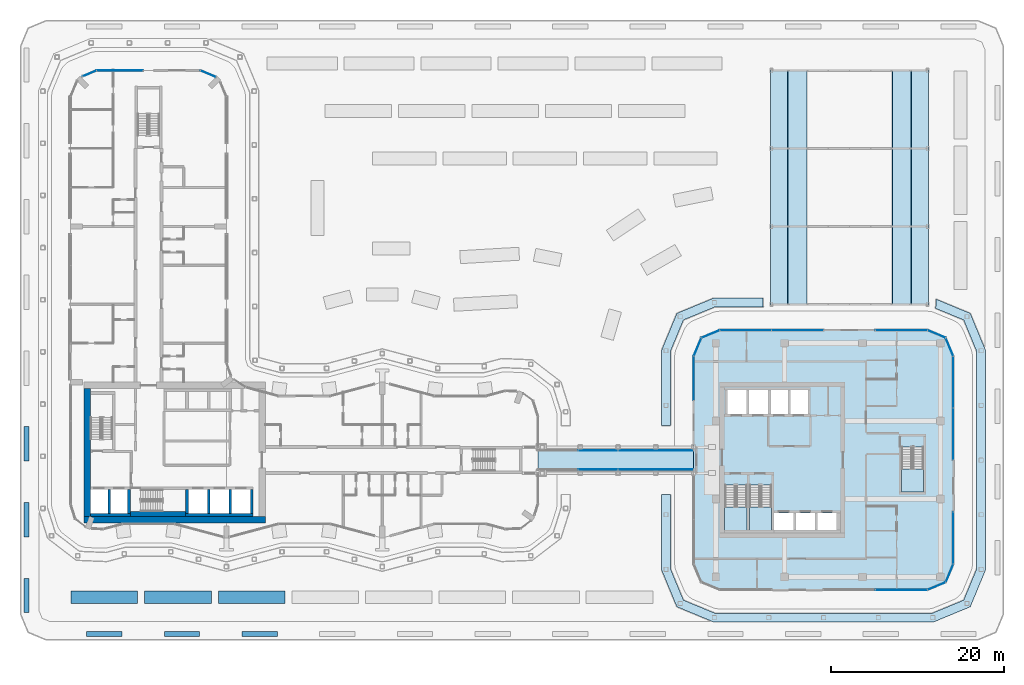
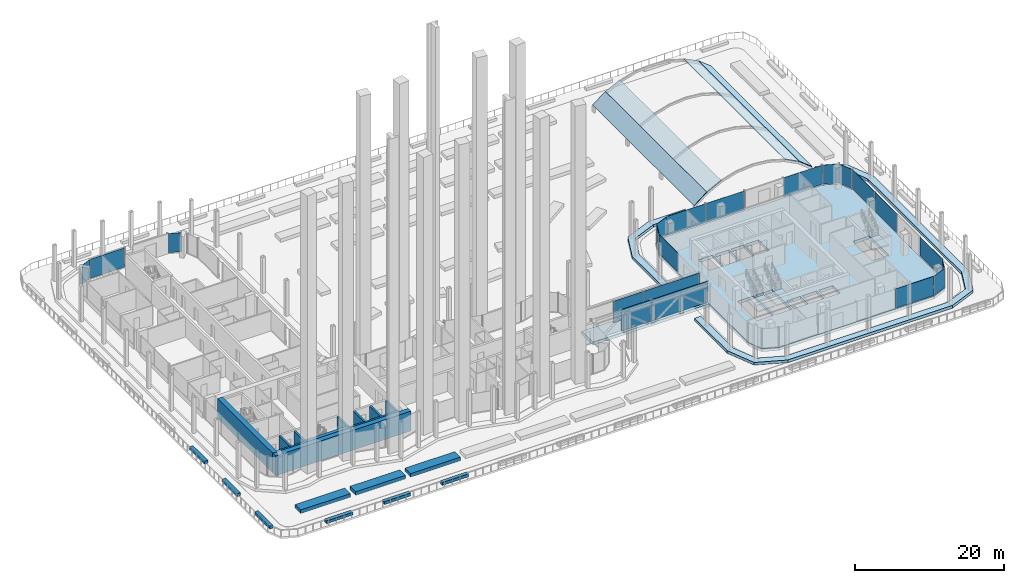
# One storey, part 22 of 33: 21 plates, 20 walls, 11 slabs, 22 elements without a shape of their own.
"""IFC4 building model written with IfcOpenShell, lengths in metres."""

from ifc_helpers import new_model, si_unit, direction, frame, frame_2d, origin, origin_2d, place, context, subcontext, project, spatial, polyline, rectangle, outline, extrude, material, layer, layer_set, type_object, element, aggregate, save


model = new_model("IFC4")

# Units and contexts
model_context = context("Model", 3, precision=1e-05, world=origin(), true_north=direction((0.0, 1.0)))
body_context = subcontext(model_context, "Body", "Model", "MODEL_VIEW")
ifc_project = project(units=[si_unit("LENGTHUNIT", "METRE"), si_unit("AREAUNIT", "SQUARE_METRE"), si_unit("VOLUMEUNIT", "CUBIC_METRE"), si_unit("PLANEANGLEUNIT", "RADIAN"), si_unit("MASSUNIT", "GRAM", prefix="KILO")], contexts=[model_context])

# Site, building, storey
site_placement = place(None, origin())
site = spatial("IfcSite", under=ifc_project, at=site_placement, CompositionType="ELEMENT")
building_placement = place(site_placement, origin())
building = spatial("IfcBuilding", under=site, at=building_placement, Name="Plateau Cross Towers", CompositionType="ELEMENT")
storey_placement = place(building_placement, frame((0.0, 0.0, 26.800048828125)))
storey = spatial("IfcBuildingStorey", under=building, at=storey_placement, Name="L05", CompositionType="ELEMENT", Elevation=26.800048828125)

# Curtain wall, plate
ifc_material_1 = material(Name="Dark low-iron glass", Category="glass")
ifc_layer_1 = layer(ifc_material_1, 0.239990234375)
ifc_layer_set_1 = layer_set([ifc_layer_1], Name="Dark low-iron glass")
curtain_wall_type_1 = type_object("IfcCurtainWallType", Name="Curtain wall office unitised CW-F", PredefinedType="NOTDEFINED", material=ifc_layer_set_1)
curtain_wall_1_placement = place(storey_placement, origin())
curtain_wall_1 = element("IfcCurtainWall", 1, at=curtain_wall_1_placement, inside=storey, type_object=curtain_wall_type_1, Name="ENV/B/L05/B870_-60", PredefinedType="NOTDEFINED")
ifc_layer_2 = layer(ifc_material_1, 0.028076171875)
ifc_layer_set_2 = layer_set([ifc_layer_2], Name="Dark low-iron glass")
plate_type_1 = type_object("IfcPlateType", Name="Glass panel 28 office unitised", PredefinedType="CURTAIN_PANEL", material=ifc_layer_set_2)
plate_1_placement = place(storey_placement, frame((96.0, -6.0, 0.1201171875), z_axis=(0.0, 0.0, 1.0), x_axis=(1.0, 0.0, 0.0)))
plate_1 = element("IfcPlate", 2, at=plate_1_placement, type_object=plate_type_1, Name="CW-F panel 2", PredefinedType="CURTAIN_PANEL", context=body_context, shape_type="SweptSolid", body=[
    extrude(rectangle(XDim=5.93994140625, YDim=0.028076171875, at=origin_2d()), origin(), (0.0, 0.0, 1.0), 3.1298828125),
])
aggregate(curtain_wall_1, [plate_1])

curtain_wall_2_placement = place(storey_placement, origin())
curtain_wall_2 = element("IfcCurtainWall", 3, at=curtain_wall_2_placement, inside=storey, type_object=curtain_wall_type_1, Name="ENV/B/L05/B990_-60", PredefinedType="NOTDEFINED")
plate_2_placement = place(storey_placement, frame((100.060546875, -5.560546875, 0.1201171875), z_axis=(0.0, 0.0, 1.0), x_axis=(0.923879457699, 0.382683612978, 0.0)))
plate_2 = element("IfcPlate", 4, at=plate_2_placement, type_object=plate_type_1, Name="CW-F panel 1", PredefinedType="CURTAIN_PANEL", context=body_context, shape_type="SweptSolid", body=[
    extrude(rectangle(XDim=2.236083984375, YDim=0.028076171875, at=origin_2d()), origin(), (0.0, 0.0, 1.0), 3.1298828125),
])
aggregate(curtain_wall_2, [plate_2])

curtain_wall_3_placement = place(storey_placement, origin())
curtain_wall_3 = element("IfcCurtainWall", 5, at=curtain_wall_3_placement, inside=storey, type_object=curtain_wall_type_1, Name="ENV/B/L05/B1011_-51", PredefinedType="NOTDEFINED")
plate_3_placement = place(storey_placement, frame((101.560546875, -4.060546875, 0.1201171875), z_axis=(0.0, 0.0, 1.0), x_axis=(0.382683612978, 0.923879457699, 0.0)))
plate_3 = element("IfcPlate", 6, at=plate_3_placement, type_object=plate_type_1, Name="CW-F panel 1", PredefinedType="CURTAIN_PANEL", context=body_context, shape_type="SweptSolid", body=[
    extrude(rectangle(XDim=2.236083984375, YDim=0.028076171875, at=origin_2d()), origin(), (0.0, 0.0, 1.0), 3.1298828125),
])
aggregate(curtain_wall_3, [plate_3])

curtain_wall_4_placement = place(storey_placement, origin())
curtain_wall_4 = element("IfcCurtainWall", 7, at=curtain_wall_4_placement, inside=storey, type_object=curtain_wall_type_1, Name="ENV/B/L05/B1020_-30", PredefinedType="NOTDEFINED")
plate_4_placement = place(storey_placement, frame((102.0, 0.0, 0.1201171875), z_axis=(0.0, 0.0, 1.0), x_axis=(0.0, 1.0, 0.0)))
plate_4 = element("IfcPlate", 8, at=plate_4_placement, type_object=plate_type_1, Name="CW-F panel 1", PredefinedType="CURTAIN_PANEL", context=body_context, shape_type="SweptSolid", body=[
    extrude(rectangle(XDim=5.93994140625, YDim=0.028076171875, at=origin_2d()), origin(), (0.0, 0.0, 1.0), 3.1298828125),
])
aggregate(curtain_wall_4, [plate_4])

# Curtain wall, plates
curtain_wall_5_placement = place(storey_placement, origin())
curtain_wall_5 = element("IfcCurtainWall", 9, at=curtain_wall_5_placement, inside=storey, type_object=curtain_wall_type_1, Name="ENV/B/L05/B1020_90", PredefinedType="NOTDEFINED")
plate_5_placement = place(storey_placement, frame((102.0, 12.0, 0.1201171875), z_axis=(0.0, 0.0, 1.0), x_axis=(0.0, 1.0, 0.0)))
plate_5 = element("IfcPlate", 10, at=plate_5_placement, type_object=plate_type_1, Name="CW-F panel 1", PredefinedType="CURTAIN_PANEL", context=body_context, shape_type="SweptSolid", body=[
    extrude(rectangle(XDim=5.93994140625, YDim=0.028076171875, at=origin_2d()), origin(), (0.0, 0.0, 1.0), 3.1298828125),
])
plate_6_placement = place(storey_placement, frame((102.0, 18.0, 0.1201171875), z_axis=(0.0, 0.0, 1.0), x_axis=(0.0, 1.0, 0.0)))
plate_6 = element("IfcPlate", 11, at=plate_6_placement, type_object=plate_type_1, Name="CW-F panel 2", PredefinedType="CURTAIN_PANEL", context=body_context, shape_type="SweptSolid", body=[
    extrude(rectangle(XDim=5.93994140625, YDim=0.028076171875, at=origin_2d()), origin(), (0.0, 0.0, 1.0), 3.1298828125),
])
aggregate(curtain_wall_5, [plate_5, plate_6])

# Curtain wall, plate
curtain_wall_6_placement = place(storey_placement, origin())
curtain_wall_6 = element("IfcCurtainWall", 12, at=curtain_wall_6_placement, inside=storey, type_object=curtain_wall_type_1, Name="ENV/B/L05/B1020_210", PredefinedType="NOTDEFINED")
plate_7_placement = place(storey_placement, frame((101.560546875, 22.060546875, 0.1201171875), z_axis=(0.0, 0.0, 1.0), x_axis=(-0.382683612978, 0.923879457699, 0.0)))
plate_7 = element("IfcPlate", 13, at=plate_7_placement, type_object=plate_type_1, Name="CW-F panel 1", PredefinedType="CURTAIN_PANEL", context=body_context, shape_type="SweptSolid", body=[
    extrude(rectangle(XDim=2.236083984375, YDim=0.028076171875, at=origin_2d()), origin(), (0.0, 0.0, 1.0), 3.1298828125),
])
aggregate(curtain_wall_6, [plate_7])

curtain_wall_7_placement = place(storey_placement, origin())
curtain_wall_7 = element("IfcCurtainWall", 14, at=curtain_wall_7_placement, inside=storey, type_object=curtain_wall_type_1, Name="ENV/B/L05/B1011_231", PredefinedType="NOTDEFINED")
plate_8_placement = place(storey_placement, frame((100.060546875, 23.560546875, 0.1201171875), z_axis=(0.0, 0.0, 1.0), x_axis=(-0.923879457699, 0.382683612978, 0.0)))
plate_8 = element("IfcPlate", 15, at=plate_8_placement, type_object=plate_type_1, Name="CW-F panel 1", PredefinedType="CURTAIN_PANEL", context=body_context, shape_type="SweptSolid", body=[
    extrude(rectangle(XDim=2.236083984375, YDim=0.028076171875, at=origin_2d()), origin(), (0.0, 0.0, 1.0), 3.1298828125),
])
aggregate(curtain_wall_7, [plate_8])

curtain_wall_8_placement = place(storey_placement, origin())
curtain_wall_8 = element("IfcCurtainWall", 16, at=curtain_wall_8_placement, inside=storey, type_object=curtain_wall_type_1, Name="ENV/B/L05/B990_240", PredefinedType="NOTDEFINED")
plate_9_placement = place(storey_placement, frame((96.0, 24.0, 0.1201171875), z_axis=(0.0, 0.0, 1.0), x_axis=(-1.0, 0.0, 0.0)))
plate_9 = element("IfcPlate", 17, at=plate_9_placement, type_object=plate_type_1, Name="CW-F panel 1", PredefinedType="CURTAIN_PANEL", context=body_context, shape_type="SweptSolid", body=[
    extrude(rectangle(XDim=5.93994140625, YDim=0.028076171875, at=origin_2d()), origin(), (0.0, 0.0, 1.0), 3.1298828125),
])
aggregate(curtain_wall_8, [plate_9])

# Curtain wall, plates
curtain_wall_9_placement = place(storey_placement, origin())
curtain_wall_9 = element("IfcCurtainWall", 18, at=curtain_wall_9_placement, inside=storey, type_object=curtain_wall_type_1, Name="ENV/B/L05/B870_240", PredefinedType="NOTDEFINED")
plate_10_placement = place(storey_placement, frame((84.0, 24.0, 0.1201171875), z_axis=(0.0, 0.0, 1.0), x_axis=(-1.0, 0.0, 0.0)))
plate_10 = element("IfcPlate", 19, at=plate_10_placement, type_object=plate_type_1, Name="CW-F panel 1", PredefinedType="CURTAIN_PANEL", context=body_context, shape_type="SweptSolid", body=[
    extrude(rectangle(XDim=5.93994140625, YDim=0.028076171875, at=origin_2d()), origin(), (0.0, 0.0, 1.0), 3.1298828125),
])
plate_11_placement = place(storey_placement, frame((78.0, 24.0, 0.1201171875), z_axis=(0.0, 0.0, 1.0), x_axis=(-1.0, 0.0, 0.0)))
plate_11 = element("IfcPlate", 20, at=plate_11_placement, type_object=plate_type_1, Name="CW-F panel 2", PredefinedType="CURTAIN_PANEL", context=body_context, shape_type="SweptSolid", body=[
    extrude(rectangle(XDim=5.93994140625, YDim=0.028076171875, at=origin_2d()), origin(), (0.0, 0.0, 1.0), 3.1298828125),
])
aggregate(curtain_wall_9, [plate_10, plate_11])

# Curtain wall, plate
curtain_wall_10_placement = place(storey_placement, origin())
curtain_wall_10 = element("IfcCurtainWall", 21, at=curtain_wall_10_placement, inside=storey, type_object=curtain_wall_type_1, Name="ENV/B/L05/B750_240", PredefinedType="NOTDEFINED")
plate_12_placement = place(storey_placement, frame((73.939453125, 23.560546875, 0.1201171875), z_axis=(0.0, 0.0, 1.0), x_axis=(-0.923879457699, -0.382683612978, 0.0)))
plate_12 = element("IfcPlate", 22, at=plate_12_placement, type_object=plate_type_1, Name="CW-F panel 1", PredefinedType="CURTAIN_PANEL", context=body_context, shape_type="SweptSolid", body=[
    extrude(rectangle(XDim=2.236083984375, YDim=0.028076171875, at=origin_2d()), origin(), (0.0, 0.0, 1.0), 3.1298828125),
])
aggregate(curtain_wall_10, [plate_12])

curtain_wall_11_placement = place(storey_placement, origin())
curtain_wall_11 = element("IfcCurtainWall", 23, at=curtain_wall_11_placement, inside=storey, type_object=curtain_wall_type_1, Name="ENV/B/L05/B729_231", PredefinedType="NOTDEFINED")
plate_13_placement = place(storey_placement, frame((72.439453125, 22.060546875, 0.1201171875), z_axis=(0.0, 0.0, 1.0), x_axis=(-0.382683612978, -0.923879457699, 0.0)))
plate_13 = element("IfcPlate", 24, at=plate_13_placement, type_object=plate_type_1, Name="CW-F panel 1", PredefinedType="CURTAIN_PANEL", context=body_context, shape_type="SweptSolid", body=[
    extrude(rectangle(XDim=2.236083984375, YDim=0.028076171875, at=origin_2d()), origin(), (0.0, 0.0, 1.0), 3.1298828125),
])
aggregate(curtain_wall_11, [plate_13])

curtain_wall_12_placement = place(storey_placement, origin())
curtain_wall_12 = element("IfcCurtainWall", 25, at=curtain_wall_12_placement, inside=storey, type_object=curtain_wall_type_1, Name="ENV/B/L05/B720_210", PredefinedType="NOTDEFINED")
plate_14_placement = place(storey_placement, frame((72.0, 18.4462890625, 0.1201171875), z_axis=(0.0, 0.0, 1.0), x_axis=(0.0, -1.0, 0.0)))
plate_14 = element("IfcPlate", 26, at=plate_14_placement, type_object=plate_type_1, Name="CW-F panel 1", PredefinedType="CURTAIN_PANEL", context=body_context, shape_type="SweptSolid", body=[
    extrude(rectangle(XDim=5.047607421875, YDim=0.028076171875, at=origin_2d()), origin(), (0.0, 0.0, 1.0), 3.1298828125),
])
aggregate(curtain_wall_12, [plate_14])

ifc_material_2 = material(Name="Dark low-iron laminated glass", Category="glass")
ifc_layer_3 = layer(ifc_material_2, 0.25)
ifc_layer_set_3 = layer_set([ifc_layer_3], Name="Dark low-iron laminated glass")
curtain_wall_type_2 = type_object("IfcCurtainWallType", Name="Curtain wall bridge CW-E", PredefinedType="NOTDEFINED", material=ifc_layer_set_3)
curtain_wall_13_placement = place(storey_placement, origin())
curtain_wall_13 = element("IfcCurtainWall", 27, at=curtain_wall_13_placement, inside=storey, type_object=curtain_wall_type_2, Name="ENV/BR/L05/BR-P-south-1", PredefinedType="NOTDEFINED")
ifc_layer_4 = layer(ifc_material_2, 0.030029296875)
ifc_layer_set_4 = layer_set([ifc_layer_4], Name="Dark low-iron laminated glass")
plate_type_2 = type_object("IfcPlateType", Name="Glass panel 30 bridge", PredefinedType="CURTAIN_PANEL", material=ifc_layer_set_4)
plate_15_placement = place(storey_placement, frame((60.9375, 7.89990234375, -0.3798828125), z_axis=(0.0, 0.0, 1.0), x_axis=(1.0, 0.0, 0.0)))
plate_15 = element("IfcPlate", 28, at=plate_15_placement, type_object=plate_type_2, Name="CW-E panel 2", PredefinedType="CURTAIN_PANEL", context=body_context, shape_type="SweptSolid", body=[
    extrude(rectangle(XDim=4.56494140625, YDim=0.030029296875, at=origin_2d()), origin(), (0.0, 0.0, 1.0), 3.8798828125),
])
aggregate(curtain_wall_13, [plate_15])

curtain_wall_14_placement = place(storey_placement, origin())
curtain_wall_14 = element("IfcCurtainWall", 29, at=curtain_wall_14_placement, inside=storey, type_object=curtain_wall_type_2, Name="ENV/BR/L05/BR-P-south-2", PredefinedType="NOTDEFINED")
plate_16_placement = place(storey_placement, frame((67.625, 7.89990234375, -0.3798828125), z_axis=(0.0, 0.0, 1.0), x_axis=(1.0, 0.0, 0.0)))
plate_16 = element("IfcPlate", 30, at=plate_16_placement, type_object=plate_type_2, Name="CW-E panel 1", PredefinedType="CURTAIN_PANEL", context=body_context, shape_type="SweptSolid", body=[
    extrude(rectangle(XDim=8.68994140625, YDim=0.030029296875, at=origin_2d()), origin(), (0.0, 0.0, 1.0), 3.8798828125),
])
aggregate(curtain_wall_14, [plate_16])

curtain_wall_15_placement = place(storey_placement, origin())
curtain_wall_15 = element("IfcCurtainWall", 31, at=curtain_wall_15_placement, inside=storey, type_object=curtain_wall_type_2, Name="ENV/BR/L05/BR-P-north-1", PredefinedType="NOTDEFINED")
plate_17_placement = place(storey_placement, frame((60.9375, 10.10009765625, -0.3798828125), z_axis=(0.0, 0.0, 1.0), x_axis=(1.0, 0.0, 0.0)))
plate_17 = element("IfcPlate", 32, at=plate_17_placement, type_object=plate_type_2, Name="CW-E panel 2", PredefinedType="CURTAIN_PANEL", context=body_context, shape_type="SweptSolid", body=[
    extrude(rectangle(XDim=4.56494140625, YDim=0.030029296875, at=origin_2d()), origin(), (0.0, 0.0, 1.0), 3.8798828125),
])
aggregate(curtain_wall_15, [plate_17])

curtain_wall_16_placement = place(storey_placement, origin())
curtain_wall_16 = element("IfcCurtainWall", 33, at=curtain_wall_16_placement, inside=storey, type_object=curtain_wall_type_2, Name="ENV/BR/L05/BR-P-north-2", PredefinedType="NOTDEFINED")
plate_18_placement = place(storey_placement, frame((67.625, 10.10009765625, -0.3798828125), z_axis=(0.0, 0.0, 1.0), x_axis=(1.0, 0.0, 0.0)))
plate_18 = element("IfcPlate", 34, at=plate_18_placement, type_object=plate_type_2, Name="CW-E panel 1", PredefinedType="CURTAIN_PANEL", context=body_context, shape_type="SweptSolid", body=[
    extrude(rectangle(XDim=8.68994140625, YDim=0.030029296875, at=origin_2d()), origin(), (0.0, 0.0, 1.0), 3.8798828125),
])
aggregate(curtain_wall_16, [plate_18])

ifc_layer_5 = layer(ifc_material_1, 0.239990234375)
ifc_layer_set_5 = layer_set([ifc_layer_5], Name="Dark low-iron glass")
curtain_wall_type_3 = type_object("IfcCurtainWallType", Name="Curtain wall flush unitised CW-B", PredefinedType="NOTDEFINED", material=ifc_layer_set_5)
curtain_wall_17_placement = place(storey_placement, origin())
curtain_wall_17 = element("IfcCurtainWall", 35, at=curtain_wall_17_placement, inside=storey, type_object=curtain_wall_type_3, Name="ENV/A/L05/A168_533", PredefinedType="NOTDEFINED")
ifc_layer_6 = layer(ifc_material_1, 0.031982421875)
ifc_layer_set_6 = layer_set([ifc_layer_6], Name="Dark low-iron glass")
plate_type_3 = type_object("IfcPlateType", Name="Glass panel 32 flush unitised", PredefinedType="CURTAIN_PANEL", material=ifc_layer_set_6)
plate_19_placement = place(storey_placement, frame((15.90283203125, 53.6259765625, 0.1201171875), z_axis=(0.0, 0.0, 1.0), x_axis=(-0.923879457699, 0.382683612978, 0.0)))
plate_19 = element("IfcPlate", 36, at=plate_19_placement, type_object=plate_type_3, Name="CW-B panel 1", PredefinedType="CURTAIN_PANEL", context=body_context, shape_type="SweptSolid", body=[
    extrude(rectangle(XDim=1.894775390625, YDim=0.031982421875, at=origin_2d()), origin(), (0.0, 0.0, 1.0), 3.1298828125),
])
aggregate(curtain_wall_17, [plate_19])

curtain_wall_18_placement = place(storey_placement, origin())
curtain_wall_18 = element("IfcCurtainWall", 37, at=curtain_wall_18_placement, inside=storey, type_object=curtain_wall_type_3, Name="ENV/A/L05/A84_540", PredefinedType="NOTDEFINED")
plate_20_placement = place(storey_placement, frame((5.68994140625, 54.0, 0.1201171875), z_axis=(0.0, 0.0, 1.0), x_axis=(-1.0, 0.0, 0.0)))
plate_20 = element("IfcPlate", 38, at=plate_20_placement, type_object=plate_type_3, Name="CW-B panel 1", PredefinedType="CURTAIN_PANEL", context=body_context, shape_type="SweptSolid", body=[
    extrude(rectangle(XDim=5.320068359375, YDim=0.031982421875, at=origin_2d()), origin(), (0.0, 0.0, 1.0), 3.1298828125),
])
aggregate(curtain_wall_18, [plate_20])

curtain_wall_19_placement = place(storey_placement, origin())
curtain_wall_19 = element("IfcCurtainWall", 39, at=curtain_wall_19_placement, inside=storey, type_object=curtain_wall_type_3, Name="ENV/A/L05/A30_540", PredefinedType="NOTDEFINED")
plate_21_placement = place(storey_placement, frame((2.20166015625, 53.66943359375, 0.1201171875), z_axis=(0.0, 0.0, 1.0), x_axis=(-0.923879457699, -0.382683612978, 0.0)))
plate_21 = element("IfcPlate", 40, at=plate_21_placement, type_object=plate_type_3, Name="CW-B panel 1", PredefinedType="CURTAIN_PANEL", context=body_context, shape_type="SweptSolid", body=[
    extrude(rectangle(XDim=1.668212890625, YDim=0.031982421875, at=origin_2d()), origin(), (0.0, 0.0, 1.0), 3.1298828125),
])
aggregate(curtain_wall_19, [plate_21])

# Slabs
ifc_material_3 = material(Name="Concrete C40/50", Category="concrete")
ifc_layer_7 = layer(ifc_material_3, 0.449951171875)
ifc_layer_set_7 = layer_set([ifc_layer_7], Name="Concrete C40/50")
slab_type_1 = type_object("IfcSlabType", Name="Plinth base kerb 450", PredefinedType="FLOOR", material=ifc_layer_set_7)
slab_1_placement = place(storey_placement, origin())
element("IfcSlab", 41, at=slab_1_placement, inside=storey, type_object=slab_type_1, Name="Plinth base kerb 1", PredefinedType="FLOOR", context=body_context, shape_type="SweptSolid", body=[
    extrude(outline(polyline([(68.300048828125, 5.0), (69.300048828125, 5.0), (69.300048828125, -3.537109375), (70.812255859375, -7.187744140625), (74.462890625, -8.699951171875), (99.537109375, -8.699951171875), (103.187744140625, -7.187744140625), (104.699951171875, -3.537109375), (104.699951171875, 21.537109375), (103.187744140625, 25.187744140625), (99.893310546875, 26.552490234375), (99.95703125, 26.709716796875), (99.9951171875, 26.902099609375), (100.0, 27.590576171875), (103.953125, 25.953125), (105.699951171875, 21.736083984375), (105.699951171875, -3.736083984375), (103.953125, -7.953125), (99.736083984375, -9.699951171875), (74.263916015625, -9.699951171875), (70.046875, -7.953125), (68.300048828125, -3.736083984375), (68.300048828125, 5.0)])), origin(), (0.0, 0.0, 1.0), 0.449951171875),
])
slab_2_placement = place(storey_placement, origin())
element("IfcSlab", 42, at=slab_2_placement, inside=storey, type_object=slab_type_1, Name="Plinth base kerb 2", PredefinedType="FLOOR", context=body_context, shape_type="SweptSolid", body=[
    extrude(outline(polyline([(68.300048828125, 21.736083984375), (70.046875, 25.953125), (74.263916015625, 27.699951171875), (80.0, 27.699951171875), (80.0, 27.0), (80.019287109375, 26.804931640625), (80.046630859375, 26.699951171875), (74.462890625, 26.699951171875), (70.812255859375, 25.187744140625), (69.300048828125, 21.537109375), (69.300048828125, 13.0), (68.300048828125, 13.0), (68.300048828125, 21.736083984375)])), origin(), (0.0, 0.0, 1.0), 0.449951171875),
])
ifc_layer_8 = layer(ifc_material_3, 0.5)
ifc_layer_set_8 = layer_set([ifc_layer_8], Name="Concrete C40/50")
slab_type_2 = type_object("IfcSlabType", Name="Post-tensioned deck slab 500", PredefinedType="FLOOR", material=ifc_layer_set_8)
slab_3_placement = place(storey_placement, frame((0.0, 0.0, -0.5)))
element("IfcSlab", 43, at=slab_3_placement, inside=storey, type_object=slab_type_2, Name="SL-BR-P-deck", PredefinedType="FLOOR", context=body_context, shape_type="SweptSolid", body=[
    extrude(outline(polyline([(54.0, 7.5), (54.0, 10.5), (72.0, 10.5), (72.0, 7.5), (54.0, 7.5)])), origin(), (0.0, 0.0, 1.0), 0.5),
])
ifc_layer_9 = layer(ifc_material_3, 0.5)
ifc_layer_set_9 = layer_set([ifc_layer_9], Name="Concrete C40/50")
slab_type_3 = type_object("IfcSlabType", Name="Post-tensioned flat plate slab 500", PredefinedType="FLOOR", material=ifc_layer_set_9)
slab_4_placement = place(storey_placement, frame((0.0, 0.0, -0.5)))
element("IfcSlab", 44, at=slab_4_placement, inside=storey, type_object=slab_type_3, Name="SL-B-L05", PredefinedType="FLOOR", context=body_context, shape_type="SweptSolid", body=[
    extrude(outline(polyline([(72.878662109375, -5.121337890625), (72.0, -3.0), (72.0, 21.0), (72.878662109375, 23.121337890625), (75.0, 24.0), (99.0, 24.0), (101.121337890625, 23.121337890625), (102.0, 21.0), (102.0, -3.0), (101.121337890625, -5.121337890625), (99.0, -6.0), (75.0, -6.0), (72.878662109375, -5.121337890625)]), holes=[polyline([(75.60009765625, 0.89990234375), (78.14990234375, 0.89990234375), (78.14990234375, 6.10009765625), (75.60009765625, 6.10009765625), (75.60009765625, 0.89990234375)]), polyline([(78.10009765625, 14.300048828125), (78.10009765625, 17.10009765625), (75.89990234375, 17.10009765625), (75.89990234375, 14.300048828125), (78.10009765625, 14.300048828125)]), polyline([(83.5, 0.89990234375), (83.5, 2.89990234375), (81.300048828125, 2.89990234375), (81.300048828125, 0.89990234375), (83.5, 0.89990234375)]), polyline([(86.0, 0.89990234375), (86.0, 2.89990234375), (83.800048828125, 2.89990234375), (83.800048828125, 0.89990234375), (86.0, 0.89990234375)]), polyline([(88.5, 0.89990234375), (88.5, 2.89990234375), (86.300048828125, 2.89990234375), (86.300048828125, 0.89990234375), (88.5, 0.89990234375)]), polyline([(78.449951171875, 0.89990234375), (81.0, 0.89990234375), (81.0, 6.10009765625), (78.449951171875, 6.10009765625), (78.449951171875, 0.89990234375)]), polyline([(96.0, 5.300048828125), (98.550048828125, 5.300048828125), (98.550048828125, 10.5), (96.0, 10.5), (96.0, 5.300048828125)]), polyline([(80.60009765625, 14.300048828125), (80.60009765625, 17.10009765625), (78.39990234375, 17.10009765625), (78.39990234375, 14.300048828125), (80.60009765625, 14.300048828125)]), polyline([(80.89990234375, 14.300048828125), (82.89990234375, 14.300048828125), (82.89990234375, 17.10009765625), (80.89990234375, 17.10009765625), (80.89990234375, 14.300048828125)]), polyline([(83.199951171875, 14.300048828125), (85.199951171875, 14.300048828125), (85.199951171875, 17.10009765625), (83.199951171875, 17.10009765625), (83.199951171875, 14.300048828125)])]), origin(), (0.0, 0.0, 1.0), 0.5),
])

# Stair, slab
stair_type = type_object("IfcStairType", Name="ST-TWR", PredefinedType="HALF_TURN_STAIR", material=ifc_material_3)
stair_1_placement = place(storey_placement, origin())
stair_1 = element("IfcStair", 45, at=stair_1_placement, inside=storey, type_object=stair_type, Name="L05 Protected Exit Stair SB-1", PredefinedType="HALF_TURN_STAIR")
ifc_layer_10 = layer(ifc_material_3, 0.199951171875)
ifc_layer_set_10 = layer_set([ifc_layer_10], Name="Concrete C40/50")
slab_type_4 = type_object("IfcSlabType", Name="SL-LANDING", PredefinedType="LANDING", material=ifc_layer_set_10)
slab_5_placement = place(storey_placement, frame((0.0, 0.0, 1.550048828125)))
slab_5 = element("IfcSlab", 46, at=slab_5_placement, type_object=slab_type_4, Name="SB-1 landing 1", PredefinedType="LANDING", context=body_context, shape_type="SweptSolid", body=[
    extrude(outline(polyline([(75.550048828125, 3.580078125), (75.550048828125, 0.550048828125), (78.14990234375, 0.550048828125), (78.14990234375, 3.580078125), (75.550048828125, 3.580078125)])), origin(), (0.0, 0.0, 1.0), 0.199951171875),
])
aggregate(stair_1, [slab_5])

stair_2_placement = place(storey_placement, origin())
stair_2 = element("IfcStair", 47, at=stair_2_placement, inside=storey, type_object=stair_type, Name="L05 Protected Exit Stair SB-2", PredefinedType="HALF_TURN_STAIR")
slab_6_placement = place(storey_placement, frame((0.0, 0.0, 1.550048828125)))
slab_6 = element("IfcSlab", 48, at=slab_6_placement, type_object=slab_type_4, Name="SB-2 landing 1", PredefinedType="LANDING", context=body_context, shape_type="SweptSolid", body=[
    extrude(outline(polyline([(78.449951171875, 3.580078125), (78.449951171875, 0.550048828125), (81.0, 0.550048828125), (81.0, 3.580078125), (78.449951171875, 3.580078125)])), origin(), (0.0, 0.0, 1.0), 0.199951171875),
])
aggregate(stair_2, [slab_6])

stair_3_placement = place(storey_placement, origin())
stair_3 = element("IfcStair", 49, at=stair_3_placement, inside=storey, type_object=stair_type, Name="L05 Protected Exit Stair SB-3", PredefinedType="HALF_TURN_STAIR")
slab_7_placement = place(storey_placement, frame((0.0, 0.0, 1.550048828125)))
slab_7 = element("IfcSlab", 50, at=slab_7_placement, type_object=slab_type_4, Name="SB-3 landing 1", PredefinedType="LANDING", context=body_context, shape_type="SweptSolid", body=[
    extrude(outline(polyline([(96.0, 7.97998046875), (96.0, 5.300048828125), (98.550048828125, 5.300048828125), (98.550048828125, 7.97998046875), (96.0, 7.97998046875)])), origin(), (0.0, 0.0, 1.0), 0.199951171875),
])
aggregate(stair_3, [slab_7])

# Slabs
ifc_material_4 = material(Name="Toughened glass with bonded interlayer", Category="glass")
ifc_layer_11 = layer(ifc_material_4, 0.10009765625)
ifc_layer_set_11 = layer_set([ifc_layer_11], Name="Toughened glass with bonded interlayer")
slab_type_5 = type_object("IfcSlabType", Name="Vault glazed roof panel 100", PredefinedType="ROOF", material=ifc_layer_set_11)
slab_8_placement = place(storey_placement, frame((80.845458984375, 26.89990234375, 1.196533203125), z_axis=(-0.617735390986, 0.0, 0.786386029074), x_axis=(0.786386029074, 0.0, 0.617735390986)))
element("IfcSlab", 51, at=slab_8_placement, inside=storey, type_object=slab_type_5, Name="Pavilion roof panel 1", PredefinedType="ROOF", context=body_context, shape_type="SweptSolid", body=[
    extrude(outline(polyline([(0.0, 0.0), (2.5029205072050784, 0.0), (2.5029205072050784, 27.200195312500007), (0.0, 27.200195312500007), (0.0, 0.0)])), origin(), (0.0, 0.0, -1.0), 0.10009765625),
])
for number, where, z_axis, x_axis, name in (
    (52, (82.813720703125, 26.89990234375, 2.74267578125), (-0.457887172572, 0.0, 0.889010313323), (0.889010313323, 0.0, 0.457887172572), "Pavilion roof panel 2"),
    (53, (94.93994140625, 26.89990234375, 3.899658203125), (0.457887172572, 0.0, 0.889010313323), (0.889010313323, 0.0, -0.457887172572), "Pavilion roof panel 7"),
):
    element("IfcSlab", number, at=place(storey_placement, frame(where, z_axis=z_axis, x_axis=x_axis)), inside=storey, type_object=slab_type_5, Name=name, PredefinedType="ROOF", context=body_context, shape_type="SweptSolid", body=[
        extrude(outline(polyline([(0.0, 0.0), (2.5267849618408995, 0.0), (2.5267849618408995, 27.2001953125), (0.0, 27.2001953125), (0.0, 0.0)])), origin(), (0.0, 0.0, -1.0), 0.10009765625),
    ])
slab_9_placement = place(storey_placement, frame((97.186279296875, 26.89990234375, 2.74267578125), z_axis=(0.617735390986, 0.0, 0.786386029074), x_axis=(0.786386029074, 0.0, -0.617735390986)))
element("IfcSlab", 54, at=slab_9_placement, inside=storey, type_object=slab_type_5, Name="Pavilion roof panel 8", PredefinedType="ROOF", context=body_context, shape_type="SweptSolid", body=[
    extrude(outline(polyline([(0.0, 0.0), (2.5029205072050784, 0.0), (2.5029205072050784, 27.200195312500007), (0.0, 27.200195312500007), (0.0, 0.0)])), origin(), (0.0, 0.0, -1.0), 0.10009765625),
])

# Walls
ifc_material_5 = material(Name="Concrete C60/75", Category="concrete")
ifc_layer_12 = layer(ifc_material_5, 0.300048828125)
ifc_layer_set_12 = layer_set([ifc_layer_12], Name="Concrete C60/75")
wall_type_1 = type_object("IfcWallType", Name="Core shaft wall 300", PredefinedType="SHEAR", material=ifc_layer_set_12)
wall_1_placement = place(storey_placement, frame((2.300048828125, 2.64990234375, 0.0), z_axis=(0.0, 0.0, 1.0), x_axis=(1.0, 0.0, 0.0)))
element("IfcWall", 55, at=wall_1_placement, inside=storey, type_object=wall_type_1, Name="A-sb-back1@L05", PredefinedType="SHEAR", context=body_context, shape_type="SweptSolid", body=[
    extrude(rectangle(XDim=4.599853515625, YDim=0.300048828125, at=frame_2d((2.2998046875, 0.0))), origin(), (0.0, 0.0, 1.0), 3.25),
])
wall_2_placement = place(storey_placement, frame((13.300048828125, 2.64990234375, 0.0), z_axis=(0.0, 0.0, 1.0), x_axis=(1.0, 0.0, 0.0)))
element("IfcWall", 56, at=wall_2_placement, inside=storey, type_object=wall_type_1, Name="A-sb-back3@L05", PredefinedType="SHEAR", context=body_context, shape_type="SweptSolid", body=[
    extrude(rectangle(XDim=7.800048828125, YDim=0.300048828125, at=frame_2d((3.89990234375, 0.0))), origin(), (0.0, 0.0, 1.0), 3.25),
])
for number, where, z_axis, x_axis, name in (
    (57, (4.449951171875, 2.800048828125, 0.0), (0.0, 0.0, 1.0), (0.0, 1.0, 0.0), "A-sb-v1@L05"),
    (58, (6.75, 2.800048828125, 0.0), (0.0, 0.0, 1.0), (0.0, 1.0, 0.0), "A-sb-v2@L05"),
    (59, (13.449951171875, 2.800048828125, 0.0), (0.0, 0.0, 1.0), (0.0, 1.0, 0.0), "A-sb-v3@L05"),
    (60, (15.949951171875, 2.800048828125, 0.0), (0.0, 0.0, 1.0), (0.0, 1.0, 0.0), "A-sb-v4@L05"),
    (61, (18.449951171875, 2.800048828125, 0.0), (0.0, 0.0, 1.0), (0.0, 1.0, 0.0), "A-sb-v5@L05"),
    (62, (20.949951171875, 2.800048828125, 0.0), (0.0, 0.0, 1.0), (0.0, 1.0, 0.0), "A-sb-v6@L05"),
):
    element("IfcWall", number, at=place(storey_placement, frame(where, z_axis=z_axis, x_axis=x_axis)), inside=storey, type_object=wall_type_1, Name=name, PredefinedType="SHEAR", context=body_context, shape_type="SweptSolid", body=[
        extrude(rectangle(XDim=2.800048828125, YDim=0.300048828125, at=frame_2d((1.39990234375, 0.0))), origin(), (0.0, 0.0, 1.0), 3.25),
    ])
ifc_layer_13 = layer(ifc_material_5, 0.550048828125)
ifc_layer_set_13 = layer_set([ifc_layer_13], Name="Concrete C60/75")
wall_type_2 = type_object("IfcWallType", Name="Core shaft wall 550", PredefinedType="SHEAR", material=ifc_layer_set_13)
wall_3_placement = place(storey_placement, frame((6.89990234375, 2.77490234375, 0.0), z_axis=(0.0, 0.0, 1.0), x_axis=(1.0, 0.0, 0.0)))
element("IfcWall", 63, at=wall_3_placement, inside=storey, type_object=wall_type_2, Name="A-sb-back2@L05", PredefinedType="SHEAR", context=body_context, shape_type="SweptSolid", body=[
    extrude(rectangle(XDim=6.400146484375, YDim=0.550048828125, at=frame_2d((3.2001953125, 0.0))), origin(), (0.0, 0.0, 1.0), 3.25),
])
ifc_layer_14 = layer(ifc_material_5, 0.75)
ifc_layer_set_14 = layer_set([ifc_layer_14], Name="Concrete C60/75")
wall_type_3 = type_object("IfcWallType", Name="Core shell wall 750", PredefinedType="SHEAR", material=ifc_layer_set_14)
wall_4_placement = place(storey_placement, frame((1.550048828125, 2.125, 0.0), z_axis=(0.0, 0.0, 1.0), x_axis=(1.0, 0.0, 0.0)))
element("IfcWall", 64, at=wall_4_placement, inside=storey, type_object=wall_type_3, Name="A-core-S@L05", PredefinedType="SHEAR", context=body_context, shape_type="SweptSolid", body=[
    extrude(rectangle(XDim=20.949951171875, YDim=0.75, at=frame_2d((10.47509765625, 0.0))), origin(), (0.0, 0.0, 1.0), 3.25),
])
wall_5_placement = place(storey_placement, frame((1.925048828125, 2.5, 0.0), z_axis=(0.0, 0.0, 1.0), x_axis=(0.0, 1.0, 0.0)))
element("IfcWall", 65, at=wall_5_placement, inside=storey, type_object=wall_type_3, Name="A-core-W@L05", PredefinedType="SHEAR", context=body_context, shape_type="SweptSolid", body=[
    extrude(rectangle(XDim=14.75, YDim=0.75, at=frame_2d((7.375, 0.0))), origin(), (0.0, 0.0, 1.0), 3.25),
])
ifc_material_6 = material(Name="Concrete C30/37", Category="concrete")
ifc_layer_15 = layer(ifc_material_6, 0.550048828125)
ifc_layer_set_15 = layer_set([ifc_layer_15], Name="Concrete C30/37")
wall_type_4 = type_object("IfcWallType", Name="Planter upstand 550", PredefinedType="STANDARD", material=ifc_layer_set_15)
wall_6_placement = place(storey_placement, frame((-5.0849609375, -8.635986328125, 0.0), z_axis=(0.0, 0.0, 1.0), x_axis=(0.0, 1.0, 0.0)))
element("IfcWall", 66, at=wall_6_placement, inside=storey, type_object=wall_type_4, Name="Planter 1", PredefinedType="STANDARD", context=body_context, shape_type="SweptSolid", body=[
    extrude(rectangle(XDim=3.97802734375, YDim=0.550048828125, at=frame_2d((1.989013671875, 0.0))), origin(), (0.0, 0.0, 1.0), 0.449951171875),
])
for number, where, z_axis, x_axis, name in (
    (67, (-5.0849609375, 0.1201171875, 0.0), (0.0, 0.0, 1.0), (0.0, 1.0, 0.0), "Planter 2"),
    (68, (-5.0849609375, 8.87646484375, 0.0), (0.0, 0.0, 1.0), (0.0, 1.0, 0.0), "Planter 3"),
):
    element("IfcWall", number, at=place(storey_placement, frame(where, z_axis=z_axis, x_axis=x_axis)), inside=storey, type_object=wall_type_4, Name=name, PredefinedType="STANDARD", context=body_context, shape_type="SweptSolid", body=[
        extrude(rectangle(XDim=3.978271484375, YDim=0.550048828125, at=frame_2d((1.9892578125, 0.0))), origin(), (0.0, 0.0, 1.0), 0.449951171875),
    ])
wall_7_placement = place(storey_placement, frame((23.882080078125, -11.0849609375, 0.0), z_axis=(0.0, 0.0, 1.0), x_axis=(-1.0, 0.0, 0.0)))
element("IfcWall", 69, at=wall_7_placement, inside=storey, type_object=wall_type_4, Name="Planter 37", PredefinedType="STANDARD", context=body_context, shape_type="SweptSolid", body=[
    extrude(rectangle(XDim=4.08642578125, YDim=0.550048828125, at=frame_2d((2.043212890625, 0.0))), origin(), (0.0, 0.0, 1.0), 0.449951171875),
])
for number, where, z_axis, x_axis, name in (
    (70, (14.9091796875, -11.0849609375, 0.0), (0.0, 0.0, 1.0), (-1.0, 0.0, 0.0), "Planter 38"),
    (71, (5.9365234375, -11.0849609375, 0.0), (0.0, 0.0, 1.0), (-1.0, 0.0, 0.0), "Planter 39"),
):
    element("IfcWall", number, at=place(storey_placement, frame(where, z_axis=z_axis, x_axis=x_axis)), inside=storey, type_object=wall_type_4, Name=name, PredefinedType="STANDARD", context=body_context, shape_type="SweptSolid", body=[
        extrude(rectangle(XDim=4.086181640625, YDim=0.550048828125, at=frame_2d((2.04296875, 0.0))), origin(), (0.0, 0.0, 1.0), 0.449951171875),
    ])
ifc_layer_16 = layer(ifc_material_6, 1.5)
ifc_layer_set_16 = layer_set([ifc_layer_16], Name="Concrete C30/37")
wall_type_5 = type_object("IfcWallType", Name="Planting bed 1500", PredefinedType="STANDARD", material=ifc_layer_set_16)
for number, where, z_axis, x_axis, name in (
    (72, (24.76220703125, -6.85009765625, 0.0), (0.0, 0.0, 1.0), (-1.0, 0.0, 0.0), "Planter bed 15"),
    (73, (16.25830078125, -6.85009765625, 0.0), (0.0, 0.0, 1.0), (-1.0, 0.0, 0.0), "Planter bed 16"),
    (74, (7.754150390625, -6.85009765625, 0.0), (0.0, 0.0, 1.0), (-1.0, 0.0, 0.0), "Planter bed 17"),
):
    element("IfcWall", number, at=place(storey_placement, frame(where, z_axis=z_axis, x_axis=x_axis)), inside=storey, type_object=wall_type_5, Name=name, PredefinedType="STANDARD", context=body_context, shape_type="SweptSolid", body=[
        extrude(rectangle(XDim=7.7041015625, YDim=1.5, at=frame_2d((3.85205078125, 0.0))), origin(), (0.0, 0.0, 1.0), 0.599853515625),
    ])

save(model, "model.ifc")
